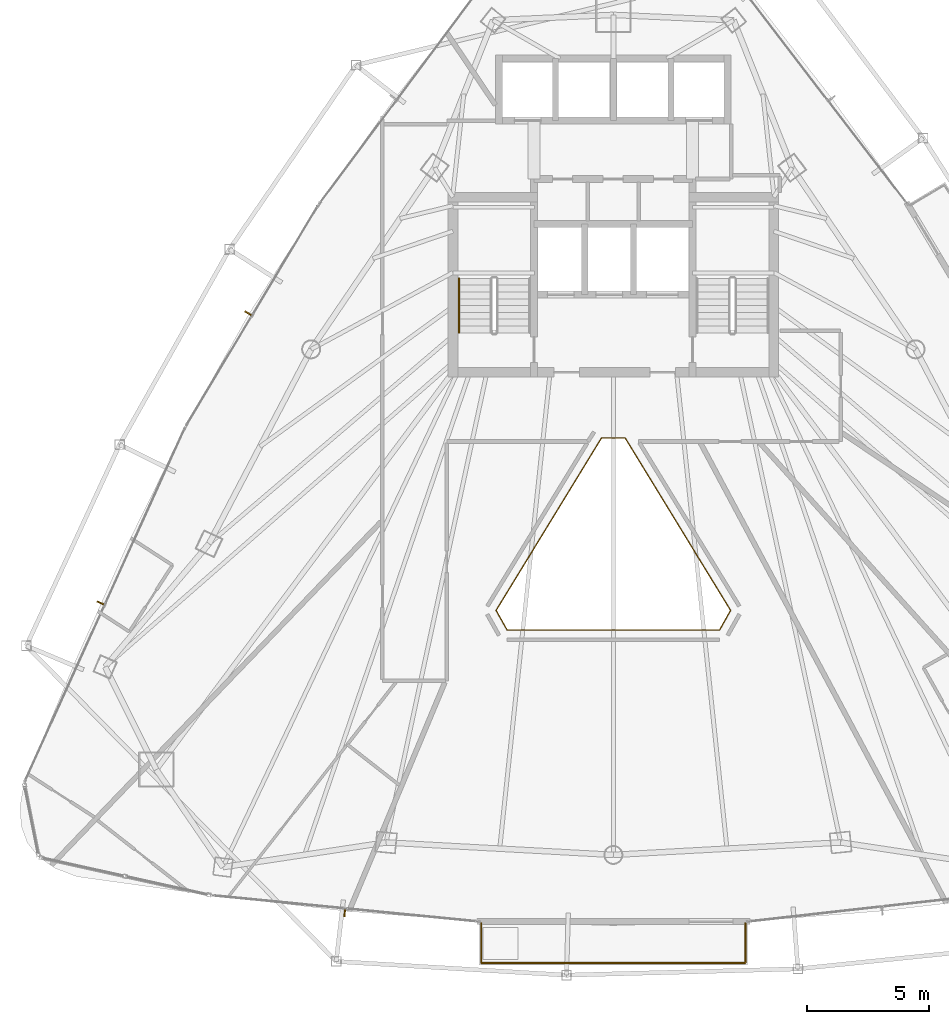
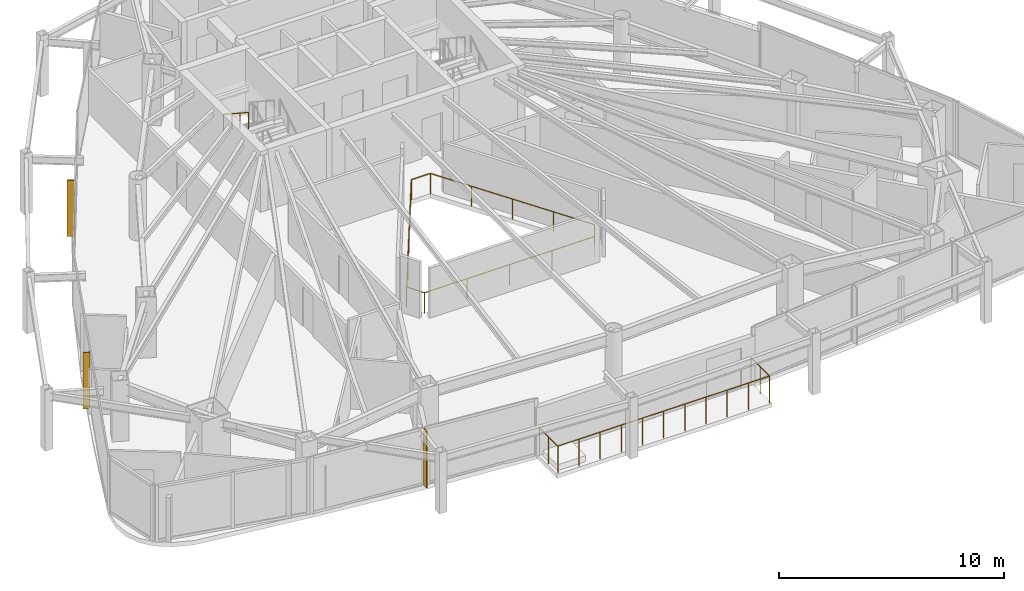
# One storey, part 28 of 30: 3 railings, 3 shading devices.
"""IFC4 building model written with IfcOpenShell, lengths in metres."""

from ifc_helpers import new_model, si_unit, direction, frame, origin, origin_2d, place, context, subcontext, project, spatial, rectangle, circle, extrude, material, layer, layer_set, type_object, element, save


model = new_model("IFC4")

# Units and contexts
model_context = context("Model", 3, precision=1e-05, world=origin(), true_north=direction((0.0, 1.0)))
body_context = subcontext(model_context, "Body", "Model", "MODEL_VIEW")
ifc_project = project(units=[si_unit("LENGTHUNIT", "METRE"), si_unit("AREAUNIT", "SQUARE_METRE"), si_unit("VOLUMEUNIT", "CUBIC_METRE"), si_unit("PLANEANGLEUNIT", "RADIAN"), si_unit("MASSUNIT", "GRAM", prefix="KILO")], contexts=[model_context])

# Site, building, storey
site_placement = place(None, origin())
site = spatial("IfcSite", under=ifc_project, at=site_placement, CompositionType="ELEMENT")
building_placement = place(site_placement, origin())
building = spatial("IfcBuilding", under=site, at=building_placement, Name="Orvanel Arch Residences", CompositionType="ELEMENT")
storey_placement = place(building_placement, frame((0.0, 0.0, 180.35009765625)))
storey = spatial("IfcBuildingStorey", under=building, at=storey_placement, Name="L51", CompositionType="ELEMENT", Elevation=180.35009765625)

# Shading devices
ifc_material_1 = material(Name="Bronze-anodised aluminium AA6063-T6", Category="aluminium")
ifc_layer = layer(ifc_material_1, 0.054931640625)
ifc_layer_set = layer_set([ifc_layer], Name="Bronze-anodised aluminium AA6063-T6")
shading_device_type = type_object("IfcShadingDeviceType", Name="FIN-BRZ-320", PredefinedType="USERDEFINED", material=ifc_layer_set)
for number, where, z_axis, x_axis, name in (
    (1, (17.97900390625, 29.1240234375, -0.000244140625), (0.0, 0.0, 1.0), (-0.857167300702, 0.51503807491, 0.0), "L51 Anodised Bronze Mullion FIN 01"),
    (2, (11.907958984375, 17.202880859375, -0.000244140625), (0.0, 0.0, 1.0), (-0.910683660806, 0.413104429825, 0.0), "L51 Anodised Bronze Mullion FIN 01"),
    (3, (21.949951171875, 4.451904296875, -0.000244140625), (0.0, 0.0, 1.0), (-0.097582899759, -0.995227399982, 0.0), "L51 Anodised Bronze Mullion FIN 01"),
):
    element("IfcShadingDevice", number, at=place(storey_placement, frame(where, z_axis=z_axis, x_axis=x_axis)), inside=storey, type_object=shading_device_type, Name=name, ObjectType="FIN", PredefinedType="USERDEFINED", context=body_context, shape_type="SweptSolid", body=[
        extrude(rectangle(XDim=0.320068359375, YDim=0.054931640625, at=origin_2d()), origin(), (0.0, 0.0, 1.0), 3.06005859375),
    ])

# Railings
railing_type_1 = type_object("IfcRailingType", Name="RL-ATR-1120", PredefinedType="BALUSTRADE", material=ifc_material_1)
railing_1_placement = place(storey_placement, frame((33.489013671875, 23.988037109375, 0.0)))
element("IfcRailing", 4, at=railing_1_placement, inside=storey, type_object=railing_type_1, Name="L51 Atrium Void Protective Balustrade", PredefinedType="BALUSTRADE", context=body_context, shape_type="SweptSolid", body=[
    extrude(circle(Radius=0.02392578125, at=origin_2d()), frame((-0.00146484375, 0.0, 1.09619140625), z_axis=(-1.0, 0.0, 0.0), x_axis=(0.0, -1.0, 0.0)), (0.0, 0.0, 1.0), 0.97509765625),
    extrude(circle(Radius=0.02392578125, at=origin_2d()), frame((-0.978759765625, -0.001220703125, 1.09619140625), z_axis=(-0.521622378978, -0.853176472806, 0.0), x_axis=(0.853176472806, -0.521622378978, 0.0)), (0.0, 0.0, 1.0), 8.3037109375),
    extrude(circle(Radius=0.02392578125, at=origin_2d()), frame((-5.310302734375, -7.08837890625, 1.09619140625), z_axis=(0.489502799973, -0.872001725238, 0.0), x_axis=(0.872001725238, 0.489502799973, 0.0)), (0.0, 0.0, 1.0), 0.914306640625),
    extrude(circle(Radius=0.02392578125, at=origin_2d()), frame((-4.860595703125, -7.886962890625, 1.09619140625), z_axis=(1.0, 0.0, 0.0), x_axis=(0.0, 1.0, 0.0)), (0.0, 0.0, 1.0), 8.7431640625),
    extrude(circle(Radius=0.02392578125, at=origin_2d()), frame((3.884765625, -7.8857421875, 1.09619140625), z_axis=(0.489502799973, 0.872001725238, 0.0), x_axis=(-0.872001725238, 0.489502799973, 0.0)), (0.0, 0.0, 1.0), 0.914306640625),
    extrude(circle(Radius=0.02392578125, at=origin_2d()), frame((4.332275390625, -7.0859375, 1.09619140625), z_axis=(-0.521622378978, 0.853176472806, 0.0), x_axis=(-0.853176472806, -0.521622378978, 0.0)), (0.0, 0.0, 1.0), 8.3037109375),
    extrude(circle(Radius=0.02099609375, at=origin_2d()), origin(), (0.0, 0.0, 1.0), 1.070068359375),
    extrude(circle(Radius=0.02099609375, at=origin_2d()), frame((-0.97802734375, 0.0, 0.0)), (0.0, 0.0, 1.0), 1.070068359375),
    extrude(circle(Radius=0.02099609375, at=origin_2d()), frame((-2.061279296875, -1.771728515625, 0.0)), (0.0, 0.0, 1.0), 1.070068359375),
    extrude(circle(Radius=0.02099609375, at=origin_2d()), frame((-3.14453125, -3.54345703125, 0.0)), (0.0, 0.0, 1.0), 1.070068359375),
    extrude(circle(Radius=0.02099609375, at=origin_2d()), frame((-4.227783203125, -5.3154296875, 0.0)), (0.0, 0.0, 1.0), 1.070068359375),
    extrude(circle(Radius=0.02099609375, at=origin_2d()), frame((-5.31103515625, -7.087158203125, 0.0)), (0.0, 0.0, 1.0), 1.070068359375),
    extrude(circle(Radius=0.02099609375, at=origin_2d()), frame((-4.862060546875, -7.886962890625, 0.0)), (0.0, 0.0, 1.0), 1.070068359375),
    extrude(circle(Radius=0.02099609375, at=origin_2d()), frame((-2.675537109375, -7.886962890625, 0.0)), (0.0, 0.0, 1.0), 1.070068359375),
    extrude(circle(Radius=0.02099609375, at=origin_2d()), frame((-0.489013671875, -7.886962890625, 0.0)), (0.0, 0.0, 1.0), 1.070068359375),
    extrude(circle(Radius=0.02099609375, at=origin_2d()), frame((1.697509765625, -7.886962890625, 0.0)), (0.0, 0.0, 1.0), 1.070068359375),
    extrude(circle(Radius=0.02099609375, at=origin_2d()), frame((3.884033203125, -7.886962890625, 0.0)), (0.0, 0.0, 1.0), 1.070068359375),
    extrude(circle(Radius=0.02099609375, at=origin_2d()), frame((4.3330078125, -7.087158203125, 0.0)), (0.0, 0.0, 1.0), 1.070068359375),
    extrude(circle(Radius=0.02099609375, at=origin_2d()), frame((3.249755859375, -5.3154296875, 0.0)), (0.0, 0.0, 1.0), 1.070068359375),
    extrude(circle(Radius=0.02099609375, at=origin_2d()), frame((2.16650390625, -3.54345703125, 0.0)), (0.0, 0.0, 1.0), 1.070068359375),
    extrude(circle(Radius=0.02099609375, at=origin_2d()), frame((1.083251953125, -1.771728515625, 0.0)), (0.0, 0.0, 1.0), 1.070068359375),
])
railing_type_2 = type_object("IfcRailingType", Name="RL-BAL-1480", PredefinedType="BALUSTRADE", material=ifc_material_1)
railing_2_placement = place(storey_placement, frame((27.56396484375, 4.037109375, 0.0)))
element("IfcRailing", 5, at=railing_2_placement, inside=storey, type_object=railing_type_2, Name="L51 Balcony Perimeter Guardrail Face 2", PredefinedType="BALUSTRADE", context=body_context, shape_type="SweptSolid", body=[
    extrude(circle(Radius=0.02392578125, at=origin_2d()), frame((0.0, -0.00146484375, 1.4560546875), z_axis=(0.0, -1.0, 0.0), x_axis=(1.0, 0.0, 0.0)), (0.0, 0.0, 1.0), 1.63720703125),
    extrude(circle(Radius=0.02392578125, at=origin_2d()), frame((0.00146484375, -1.64013671875, 1.4560546875), z_axis=(1.0, 0.0, 0.0), x_axis=(0.0, 1.0, 0.0)), (0.0, 0.0, 1.0), 10.869140625),
    extrude(circle(Radius=0.02392578125, at=origin_2d()), frame((10.8720703125, -1.638671875, 1.4560546875), z_axis=(0.0, 1.0, 0.0), x_axis=(-1.0, 0.0, 0.0)), (0.0, 0.0, 1.0), 1.63720703125),
    extrude(circle(Radius=0.02099609375, at=origin_2d()), origin(), (0.0, 0.0, 1.0), 1.429931640625),
    extrude(circle(Radius=0.02099609375, at=origin_2d()), frame((0.0, -0.820068359375, 0.0)), (0.0, 0.0, 1.0), 1.429931640625),
    extrude(circle(Radius=0.02099609375, at=origin_2d()), frame((0.0, -1.64013671875, 0.0)), (0.0, 0.0, 1.0), 1.429931640625),
    extrude(circle(Radius=0.02099609375, at=origin_2d()), frame((1.087158203125, -1.64013671875, 0.0)), (0.0, 0.0, 1.0), 1.429931640625),
    extrude(circle(Radius=0.02099609375, at=origin_2d()), frame((2.17431640625, -1.64013671875, 0.0)), (0.0, 0.0, 1.0), 1.429931640625),
    extrude(circle(Radius=0.02099609375, at=origin_2d()), frame((3.26171875, -1.64013671875, 0.0)), (0.0, 0.0, 1.0), 1.429931640625),
    extrude(circle(Radius=0.02099609375, at=origin_2d()), frame((4.348876953125, -1.64013671875, 0.0)), (0.0, 0.0, 1.0), 1.429931640625),
    extrude(circle(Radius=0.02099609375, at=origin_2d()), frame((5.43603515625, -1.64013671875, 0.0)), (0.0, 0.0, 1.0), 1.429931640625),
    extrude(circle(Radius=0.02099609375, at=origin_2d()), frame((6.523193359375, -1.64013671875, 0.0)), (0.0, 0.0, 1.0), 1.429931640625),
    extrude(circle(Radius=0.02099609375, at=origin_2d()), frame((7.6103515625, -1.64013671875, 0.0)), (0.0, 0.0, 1.0), 1.429931640625),
    extrude(circle(Radius=0.02099609375, at=origin_2d()), frame((8.69775390625, -1.64013671875, 0.0)), (0.0, 0.0, 1.0), 1.429931640625),
    extrude(circle(Radius=0.02099609375, at=origin_2d()), frame((9.784912109375, -1.64013671875, 0.0)), (0.0, 0.0, 1.0), 1.429931640625),
    extrude(circle(Radius=0.02099609375, at=origin_2d()), frame((10.8720703125, -1.64013671875, 0.0)), (0.0, 0.0, 1.0), 1.429931640625),
    extrude(circle(Radius=0.02099609375, at=origin_2d()), frame((10.8720703125, -0.820068359375, 0.0)), (0.0, 0.0, 1.0), 1.429931640625),
    extrude(circle(Radius=0.02099609375, at=origin_2d()), frame((10.8720703125, 0.0, 0.0)), (0.0, 0.0, 1.0), 1.429931640625),
])
ifc_material_2 = material(Name="Structural steel AS/NZS 1163 C350L0 (Grade 350)", Category="steel")
railing_type_3 = type_object("IfcRailingType", Name="RL-STAIR-HAND", PredefinedType="HANDRAIL", material=ifc_material_2)
railing_3_placement = place(storey_placement, frame((26.64990234375, 30.56005859375, 1.833251953125)))
element("IfcRailing", 6, at=railing_3_placement, inside=storey, type_object=railing_type_3, Name="L51 ST-1 stair handrail 2", PredefinedType="HANDRAIL", context=body_context, shape_type="SweptSolid", body=[
    extrude(circle(Radius=0.02392578125, at=origin_2d()), frame((0.0, -0.001220703125, 0.876708984375), z_axis=(0.0, -0.836636935527, 0.547757827979), x_axis=(1.0, 0.0, 0.0)), (0.0, 0.0, 1.0), 2.67431640625),
    extrude(circle(Radius=0.02099609375, at=origin_2d()), origin(), (0.0, 0.0, 1.0), 0.849853515625),
    extrude(circle(Radius=0.02099609375, at=origin_2d()), frame((0.0, -0.74658203125, 0.48876953125)), (0.0, 0.0, 1.0), 0.849853515625),
    extrude(circle(Radius=0.02099609375, at=origin_2d()), frame((0.0, -1.493408203125, 0.977783203125)), (0.0, 0.0, 1.0), 0.849853515625),
    extrude(circle(Radius=0.02099609375, at=origin_2d()), frame((0.0, -2.239990234375, 1.466552734375)), (0.0, 0.0, 1.0), 0.849853515625),
])

save(model, "model.ifc")
